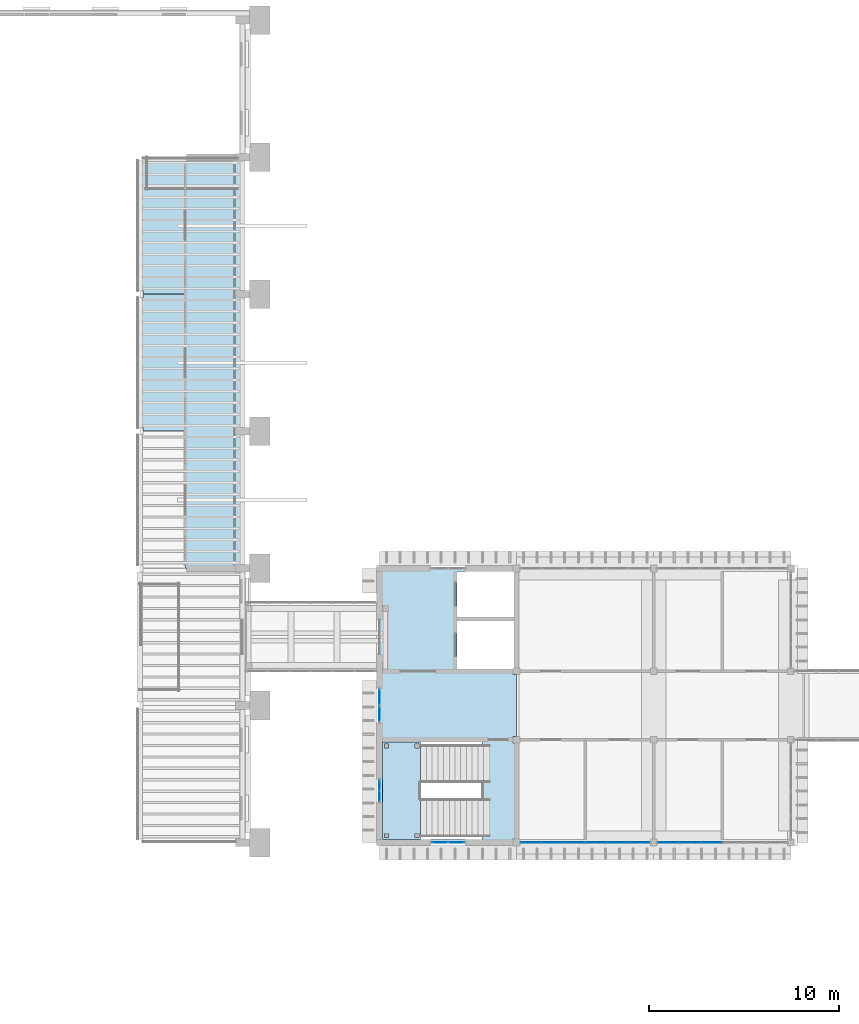
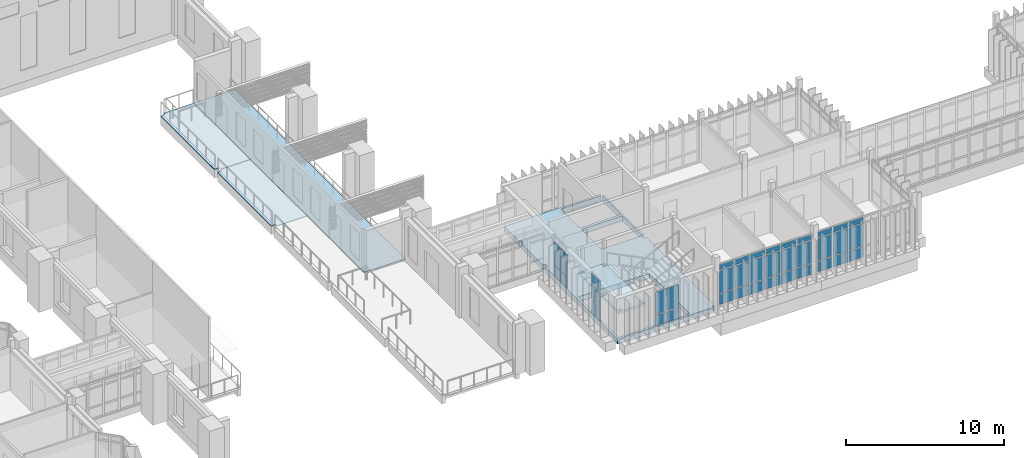
# One storey, part 30 of 69: 41 plates, 5 slabs, 6 elements without a shape of their own.
"""IFC4 building model written with IfcOpenShell, lengths in metres."""

from ifc_helpers import new_model, si_unit, direction, frame, origin, origin_2d, place, context, subcontext, project, spatial, polyline, rectangle, outline, extrude, material, layer, layer_set, type_object, element, aggregate, save


model = new_model("IFC4")

# Units and contexts
model_context = context("Model", 3, precision=1e-05, world=origin(), true_north=direction((0.0, 1.0)))
body_context = subcontext(model_context, "Body", "Model", "MODEL_VIEW")
ifc_project = project(units=[si_unit("LENGTHUNIT", "METRE"), si_unit("AREAUNIT", "SQUARE_METRE"), si_unit("VOLUMEUNIT", "CUBIC_METRE"), si_unit("PLANEANGLEUNIT", "RADIAN"), si_unit("MASSUNIT", "GRAM", prefix="KILO")], contexts=[model_context])

# Site, building, storey
site_placement = place(None, origin())
site = spatial("IfcSite", under=ifc_project, at=site_placement, CompositionType="ELEMENT")
building_placement = place(site_placement, origin())
building = spatial("IfcBuilding", under=site, at=building_placement, Name="Mazhai Court Health Centre", CompositionType="ELEMENT")
storey_placement = place(building_placement, frame((0.0, 0.0, 6.300048828125)))
storey = spatial("IfcBuildingStorey", under=building, at=storey_placement, Name="L01", CompositionType="ELEMENT", Elevation=6.300048828125)

# Curtain wall, plates
ifc_material_1 = material(Name="Teak timber frame, glazed", Category="wood")
ifc_layer_1 = layer(ifc_material_1, 0.10009765625)
ifc_layer_set_1 = layer_set([ifc_layer_1], Name="CURTAIN WALL TIMBER 900")
curtain_wall_type_1 = type_object("IfcCurtainWallType", Name="CURTAIN WALL TIMBER 900", PredefinedType="NOTDEFINED", material=ifc_layer_set_1)
curtain_wall_1_placement = place(storey_placement, origin())
curtain_wall_1 = element("IfcCurtainWall", 1, at=curtain_wall_1_placement, inside=storey, type_object=curtain_wall_type_1, Name="CW-V4-L01-A0", PredefinedType="NOTDEFINED")
ifc_material_2 = material(Name="Glass IGU 28 mm", Category="glass")
ifc_layer_2 = layer(ifc_material_2, 0.028076171875)
ifc_layer_set_2 = layer_set([ifc_layer_2], Name="CW PANEL IGU 28")
plate_type = type_object("IfcPlateType", Name="CW PANEL IGU 28", PredefinedType="CURTAIN_PANEL", material=ifc_layer_set_2)
plate_1_placement = place(storey_placement, frame((75.034912109375, 13.39990234375, 0.059814453125), z_axis=(0.0, 0.0, 1.0), x_axis=(-1.0, 0.0, 0.0)))
plate_1 = element("IfcPlate", 2, at=plate_1_placement, type_object=plate_type, Name="CW panel 1.1", PredefinedType="CURTAIN_PANEL", context=body_context, shape_type="SweptSolid", body=[
    extrude(rectangle(XDim=0.81005859375, YDim=0.028076171875, at=origin_2d()), origin(), (0.0, 0.0, 1.0), 0.81005859375),
])
plate_2_placement = place(storey_placement, frame((75.034912109375, 13.39990234375, 0.93017578125), z_axis=(0.0, 0.0, 1.0), x_axis=(-1.0, 0.0, 0.0)))
plate_2 = element("IfcPlate", 3, at=plate_2_placement, type_object=plate_type, Name="CW panel 1.2", PredefinedType="CURTAIN_PANEL", context=body_context, shape_type="SweptSolid", body=[
    extrude(rectangle(XDim=0.81005859375, YDim=0.028076171875, at=origin_2d()), origin(), (0.0, 0.0, 1.0), 1.739990234375),
])
plate_3_placement = place(storey_placement, frame((74.1650390625, 13.39990234375, 0.059814453125), z_axis=(0.0, 0.0, 1.0), x_axis=(-1.0, 0.0, 0.0)))
plate_3 = element("IfcPlate", 4, at=plate_3_placement, type_object=plate_type, Name="CW panel 2.1", PredefinedType="CURTAIN_PANEL", context=body_context, shape_type="SweptSolid", body=[
    extrude(rectangle(XDim=0.81005859375, YDim=0.028076171875, at=origin_2d()), origin(), (0.0, 0.0, 1.0), 0.81005859375),
])
plate_4_placement = place(storey_placement, frame((74.1650390625, 13.39990234375, 0.93017578125), z_axis=(0.0, 0.0, 1.0), x_axis=(-1.0, 0.0, 0.0)))
plate_4 = element("IfcPlate", 5, at=plate_4_placement, type_object=plate_type, Name="CW panel 2.2", PredefinedType="CURTAIN_PANEL", context=body_context, shape_type="SweptSolid", body=[
    extrude(rectangle(XDim=0.81005859375, YDim=0.028076171875, at=origin_2d()), origin(), (0.0, 0.0, 1.0), 1.739990234375),
])
aggregate(curtain_wall_1, [plate_1, plate_2, plate_3, plate_4])

ifc_material_3 = material(Name="Teak timber frame, glazed", Category="wood")
ifc_layer_3 = layer(ifc_material_3, 0.10009765625)
ifc_layer_set_3 = layer_set([ifc_layer_3], Name="CURTAIN WALL TIMBER 600")
curtain_wall_type_2 = type_object("IfcCurtainWallType", Name="CURTAIN WALL TIMBER 600", PredefinedType="NOTDEFINED", material=ifc_layer_set_3)
curtain_wall_2_placement = place(storey_placement, origin())
curtain_wall_2 = element("IfcCurtainWall", 6, at=curtain_wall_2_placement, inside=storey, type_object=curtain_wall_type_2, Name="CW-V4-L01-SSTAIR0", PredefinedType="NOTDEFINED")
plate_5_placement = place(storey_placement, frame((71.0, 15.8349609375, 0.06005859375), z_axis=(0.0, 0.0, 1.0), x_axis=(0.0, 1.0, 0.0)))
plate_5 = element("IfcPlate", 7, at=plate_5_placement, type_object=plate_type, Name="CW panel 1.1", PredefinedType="CURTAIN_PANEL", context=body_context, shape_type="SweptSolid", body=[
    extrude(rectangle(XDim=0.510009765625, YDim=0.028076171875, at=origin_2d()), origin(), (0.0, 0.0, 1.0), 1.010009765625),
])
plate_6_placement = place(storey_placement, frame((71.0, 15.8349609375, 1.1298828125), z_axis=(0.0, 0.0, 1.0), x_axis=(0.0, 1.0, 0.0)))
plate_6 = element("IfcPlate", 8, at=plate_6_placement, type_object=plate_type, Name="CW panel 1.2", PredefinedType="CURTAIN_PANEL", context=body_context, shape_type="SweptSolid", body=[
    extrude(rectangle(XDim=0.510009765625, YDim=0.028076171875, at=origin_2d()), origin(), (0.0, 0.0, 1.0), 1.0400390625),
])
plate_7_placement = place(storey_placement, frame((71.0, 15.8349609375, 2.22998046875), z_axis=(0.0, 0.0, 1.0), x_axis=(0.0, 1.0, 0.0)))
plate_7 = element("IfcPlate", 9, at=plate_7_placement, type_object=plate_type, Name="CW panel 1.3", PredefinedType="CURTAIN_PANEL", context=body_context, shape_type="SweptSolid", body=[
    extrude(rectangle(XDim=0.510009765625, YDim=0.028076171875, at=origin_2d()), origin(), (0.0, 0.0, 1.0), 0.909912109375),
])
plate_8_placement = place(storey_placement, frame((71.0, 16.405029296875, 0.06005859375), z_axis=(0.0, 0.0, 1.0), x_axis=(0.0, 1.0, 0.0)))
plate_8 = element("IfcPlate", 10, at=plate_8_placement, type_object=plate_type, Name="CW panel 2.1", PredefinedType="CURTAIN_PANEL", context=body_context, shape_type="SweptSolid", body=[
    extrude(rectangle(XDim=0.510009765625, YDim=0.028076171875, at=origin_2d()), origin(), (0.0, 0.0, 1.0), 1.010009765625),
])
plate_9_placement = place(storey_placement, frame((71.0, 16.405029296875, 1.1298828125), z_axis=(0.0, 0.0, 1.0), x_axis=(0.0, 1.0, 0.0)))
plate_9 = element("IfcPlate", 11, at=plate_9_placement, type_object=plate_type, Name="CW panel 2.2", PredefinedType="CURTAIN_PANEL", context=body_context, shape_type="SweptSolid", body=[
    extrude(rectangle(XDim=0.510009765625, YDim=0.028076171875, at=origin_2d()), origin(), (0.0, 0.0, 1.0), 1.0400390625),
])
plate_10_placement = place(storey_placement, frame((71.0, 16.405029296875, 2.22998046875), z_axis=(0.0, 0.0, 1.0), x_axis=(0.0, 1.0, 0.0)))
plate_10 = element("IfcPlate", 12, at=plate_10_placement, type_object=plate_type, Name="CW panel 2.3", PredefinedType="CURTAIN_PANEL", context=body_context, shape_type="SweptSolid", body=[
    extrude(rectangle(XDim=0.510009765625, YDim=0.028076171875, at=origin_2d()), origin(), (0.0, 0.0, 1.0), 0.909912109375),
])
aggregate(curtain_wall_2, [plate_5, plate_6, plate_7, plate_8, plate_9, plate_10])

curtain_wall_3_placement = place(storey_placement, origin())
curtain_wall_3 = element("IfcCurtainWall", 13, at=curtain_wall_3_placement, inside=storey, type_object=curtain_wall_type_1, Name="CW-V4-L01-SLIFT1", PredefinedType="NOTDEFINED")
plate_11_placement = place(storey_placement, frame((71.0, 20.1650390625, 0.059814453125), z_axis=(0.0, 0.0, 1.0), x_axis=(0.0, 1.0, 0.0)))
plate_11 = element("IfcPlate", 14, at=plate_11_placement, type_object=plate_type, Name="CW panel 1.1", PredefinedType="CURTAIN_PANEL", context=body_context, shape_type="SweptSolid", body=[
    extrude(rectangle(XDim=0.81005859375, YDim=0.028076171875, at=origin_2d()), origin(), (0.0, 0.0, 1.0), 0.81005859375),
])
plate_12_placement = place(storey_placement, frame((71.0, 20.1650390625, 0.93017578125), z_axis=(0.0, 0.0, 1.0), x_axis=(0.0, 1.0, 0.0)))
plate_12 = element("IfcPlate", 15, at=plate_12_placement, type_object=plate_type, Name="CW panel 1.2", PredefinedType="CURTAIN_PANEL", context=body_context, shape_type="SweptSolid", body=[
    extrude(rectangle(XDim=0.81005859375, YDim=0.028076171875, at=origin_2d()), origin(), (0.0, 0.0, 1.0), 1.739990234375),
])
plate_13_placement = place(storey_placement, frame((71.0, 21.034912109375, 0.059814453125), z_axis=(0.0, 0.0, 1.0), x_axis=(0.0, 1.0, 0.0)))
plate_13 = element("IfcPlate", 16, at=plate_13_placement, type_object=plate_type, Name="CW panel 2.1", PredefinedType="CURTAIN_PANEL", context=body_context, shape_type="SweptSolid", body=[
    extrude(rectangle(XDim=0.81005859375, YDim=0.028076171875, at=origin_2d()), origin(), (0.0, 0.0, 1.0), 0.81005859375),
])
plate_14_placement = place(storey_placement, frame((71.0, 21.034912109375, 0.93017578125), z_axis=(0.0, 0.0, 1.0), x_axis=(0.0, 1.0, 0.0)))
plate_14 = element("IfcPlate", 17, at=plate_14_placement, type_object=plate_type, Name="CW panel 2.2", PredefinedType="CURTAIN_PANEL", context=body_context, shape_type="SweptSolid", body=[
    extrude(rectangle(XDim=0.81005859375, YDim=0.028076171875, at=origin_2d()), origin(), (0.0, 0.0, 1.0), 1.739990234375),
])
aggregate(curtain_wall_3, [plate_11, plate_12, plate_13, plate_14])

ifc_material_4 = material(Name="Teak timber frame, glazed", Category="wood")
ifc_layer_4 = layer(ifc_material_4, 0.10009765625)
ifc_layer_set_4 = layer_set([ifc_layer_4], Name="CURTAIN WALL TIMBER 1200")
curtain_wall_type_3 = type_object("IfcCurtainWallType", Name="CURTAIN WALL TIMBER 1200", PredefinedType="NOTDEFINED", material=ifc_layer_set_4)
curtain_wall_4_placement = place(storey_placement, origin())
curtain_wall_4 = element("IfcCurtainWall", 18, at=curtain_wall_4_placement, inside=storey, type_object=curtain_wall_type_3, Name="CW-V4-L01-A1", PredefinedType="NOTDEFINED")
plate_15_placement = place(storey_placement, frame((84.635009765625, 13.39990234375, 0.059814453125), z_axis=(0.0, 0.0, 1.0), x_axis=(-1.0, 0.0, 0.0)))
plate_15 = element("IfcPlate", 19, at=plate_15_placement, type_object=plate_type, Name="CW panel 1.1", PredefinedType="CURTAIN_PANEL", context=body_context, shape_type="SweptSolid", body=[
    extrude(rectangle(XDim=1.050048828125, YDim=0.028076171875, at=origin_2d()), origin(), (0.0, 0.0, 1.0), 0.81005859375),
])
plate_16_placement = place(storey_placement, frame((84.635009765625, 13.39990234375, 0.93017578125), z_axis=(0.0, 0.0, 1.0), x_axis=(-1.0, 0.0, 0.0)))
plate_16 = element("IfcPlate", 20, at=plate_16_placement, type_object=plate_type, Name="CW panel 1.2", PredefinedType="CURTAIN_PANEL", context=body_context, shape_type="SweptSolid", body=[
    extrude(rectangle(XDim=1.050048828125, YDim=0.028076171875, at=origin_2d()), origin(), (0.0, 0.0, 1.0), 1.739990234375),
])
plate_17_placement = place(storey_placement, frame((84.635009765625, 13.39990234375, 2.72998046875), z_axis=(0.0, 0.0, 1.0), x_axis=(-1.0, 0.0, 0.0)))
plate_17 = element("IfcPlate", 21, at=plate_17_placement, type_object=plate_type, Name="CW panel 1.3", PredefinedType="CURTAIN_PANEL", context=body_context, shape_type="SweptSolid", body=[
    extrude(rectangle(XDim=1.050048828125, YDim=0.028076171875, at=origin_2d()), origin(), (0.0, 0.0, 1.0), 0.429931640625),
])
plate_18_placement = place(storey_placement, frame((83.510009765625, 13.39990234375, 0.059814453125), z_axis=(0.0, 0.0, 1.0), x_axis=(-1.0, 0.0, 0.0)))
plate_18 = element("IfcPlate", 22, at=plate_18_placement, type_object=plate_type, Name="CW panel 2.1", PredefinedType="CURTAIN_PANEL", context=body_context, shape_type="SweptSolid", body=[
    extrude(rectangle(XDim=1.080078125, YDim=0.028076171875, at=origin_2d()), origin(), (0.0, 0.0, 1.0), 0.81005859375),
])
plate_19_placement = place(storey_placement, frame((83.510009765625, 13.39990234375, 0.93017578125), z_axis=(0.0, 0.0, 1.0), x_axis=(-1.0, 0.0, 0.0)))
plate_19 = element("IfcPlate", 23, at=plate_19_placement, type_object=plate_type, Name="CW panel 2.2", PredefinedType="CURTAIN_PANEL", context=body_context, shape_type="SweptSolid", body=[
    extrude(rectangle(XDim=1.080078125, YDim=0.028076171875, at=origin_2d()), origin(), (0.0, 0.0, 1.0), 1.739990234375),
])
plate_20_placement = place(storey_placement, frame((83.510009765625, 13.39990234375, 2.72998046875), z_axis=(0.0, 0.0, 1.0), x_axis=(-1.0, 0.0, 0.0)))
plate_20 = element("IfcPlate", 24, at=plate_20_placement, type_object=plate_type, Name="CW panel 2.3", PredefinedType="CURTAIN_PANEL", context=body_context, shape_type="SweptSolid", body=[
    extrude(rectangle(XDim=1.080078125, YDim=0.028076171875, at=origin_2d()), origin(), (0.0, 0.0, 1.0), 0.429931640625),
])
plate_21_placement = place(storey_placement, frame((82.3701171875, 13.39990234375, 0.059814453125), z_axis=(0.0, 0.0, 1.0), x_axis=(-1.0, 0.0, 0.0)))
plate_21 = element("IfcPlate", 25, at=plate_21_placement, type_object=plate_type, Name="CW panel 3.1", PredefinedType="CURTAIN_PANEL", context=body_context, shape_type="SweptSolid", body=[
    extrude(rectangle(XDim=1.080078125, YDim=0.028076171875, at=origin_2d()), origin(), (0.0, 0.0, 1.0), 0.81005859375),
])
plate_22_placement = place(storey_placement, frame((82.3701171875, 13.39990234375, 0.93017578125), z_axis=(0.0, 0.0, 1.0), x_axis=(-1.0, 0.0, 0.0)))
plate_22 = element("IfcPlate", 26, at=plate_22_placement, type_object=plate_type, Name="CW panel 3.2", PredefinedType="CURTAIN_PANEL", context=body_context, shape_type="SweptSolid", body=[
    extrude(rectangle(XDim=1.080078125, YDim=0.028076171875, at=origin_2d()), origin(), (0.0, 0.0, 1.0), 1.739990234375),
])
plate_23_placement = place(storey_placement, frame((82.3701171875, 13.39990234375, 2.72998046875), z_axis=(0.0, 0.0, 1.0), x_axis=(-1.0, 0.0, 0.0)))
plate_23 = element("IfcPlate", 27, at=plate_23_placement, type_object=plate_type, Name="CW panel 3.3", PredefinedType="CURTAIN_PANEL", context=body_context, shape_type="SweptSolid", body=[
    extrude(rectangle(XDim=1.080078125, YDim=0.028076171875, at=origin_2d()), origin(), (0.0, 0.0, 1.0), 0.429931640625),
])
plate_24_placement = place(storey_placement, frame((81.22998046875, 13.39990234375, 0.059814453125), z_axis=(0.0, 0.0, 1.0), x_axis=(-1.0, 0.0, 0.0)))
plate_24 = element("IfcPlate", 28, at=plate_24_placement, type_object=plate_type, Name="CW panel 4.1", PredefinedType="CURTAIN_PANEL", context=body_context, shape_type="SweptSolid", body=[
    extrude(rectangle(XDim=1.080078125, YDim=0.028076171875, at=origin_2d()), origin(), (0.0, 0.0, 1.0), 0.81005859375),
])
plate_25_placement = place(storey_placement, frame((81.22998046875, 13.39990234375, 0.93017578125), z_axis=(0.0, 0.0, 1.0), x_axis=(-1.0, 0.0, 0.0)))
plate_25 = element("IfcPlate", 29, at=plate_25_placement, type_object=plate_type, Name="CW panel 4.2", PredefinedType="CURTAIN_PANEL", context=body_context, shape_type="SweptSolid", body=[
    extrude(rectangle(XDim=1.080078125, YDim=0.028076171875, at=origin_2d()), origin(), (0.0, 0.0, 1.0), 1.739990234375),
])
plate_26_placement = place(storey_placement, frame((81.22998046875, 13.39990234375, 2.72998046875), z_axis=(0.0, 0.0, 1.0), x_axis=(-1.0, 0.0, 0.0)))
plate_26 = element("IfcPlate", 30, at=plate_26_placement, type_object=plate_type, Name="CW panel 4.3", PredefinedType="CURTAIN_PANEL", context=body_context, shape_type="SweptSolid", body=[
    extrude(rectangle(XDim=1.080078125, YDim=0.028076171875, at=origin_2d()), origin(), (0.0, 0.0, 1.0), 0.429931640625),
])
plate_27_placement = place(storey_placement, frame((80.090087890625, 13.39990234375, 0.059814453125), z_axis=(0.0, 0.0, 1.0), x_axis=(-1.0, 0.0, 0.0)))
plate_27 = element("IfcPlate", 31, at=plate_27_placement, type_object=plate_type, Name="CW panel 5.1", PredefinedType="CURTAIN_PANEL", context=body_context, shape_type="SweptSolid", body=[
    extrude(rectangle(XDim=1.080078125, YDim=0.028076171875, at=origin_2d()), origin(), (0.0, 0.0, 1.0), 0.81005859375),
])
plate_28_placement = place(storey_placement, frame((80.090087890625, 13.39990234375, 0.93017578125), z_axis=(0.0, 0.0, 1.0), x_axis=(-1.0, 0.0, 0.0)))
plate_28 = element("IfcPlate", 32, at=plate_28_placement, type_object=plate_type, Name="CW panel 5.2", PredefinedType="CURTAIN_PANEL", context=body_context, shape_type="SweptSolid", body=[
    extrude(rectangle(XDim=1.080078125, YDim=0.028076171875, at=origin_2d()), origin(), (0.0, 0.0, 1.0), 1.739990234375),
])
plate_29_placement = place(storey_placement, frame((80.090087890625, 13.39990234375, 2.72998046875), z_axis=(0.0, 0.0, 1.0), x_axis=(-1.0, 0.0, 0.0)))
plate_29 = element("IfcPlate", 33, at=plate_29_placement, type_object=plate_type, Name="CW panel 5.3", PredefinedType="CURTAIN_PANEL", context=body_context, shape_type="SweptSolid", body=[
    extrude(rectangle(XDim=1.080078125, YDim=0.028076171875, at=origin_2d()), origin(), (0.0, 0.0, 1.0), 0.429931640625),
])
plate_30_placement = place(storey_placement, frame((78.965087890625, 13.39990234375, 0.059814453125), z_axis=(0.0, 0.0, 1.0), x_axis=(-1.0, 0.0, 0.0)))
plate_30 = element("IfcPlate", 34, at=plate_30_placement, type_object=plate_type, Name="CW panel 6.1", PredefinedType="CURTAIN_PANEL", context=body_context, shape_type="SweptSolid", body=[
    extrude(rectangle(XDim=1.050048828125, YDim=0.028076171875, at=origin_2d()), origin(), (0.0, 0.0, 1.0), 0.81005859375),
])
plate_31_placement = place(storey_placement, frame((78.965087890625, 13.39990234375, 0.93017578125), z_axis=(0.0, 0.0, 1.0), x_axis=(-1.0, 0.0, 0.0)))
plate_31 = element("IfcPlate", 35, at=plate_31_placement, type_object=plate_type, Name="CW panel 6.2", PredefinedType="CURTAIN_PANEL", context=body_context, shape_type="SweptSolid", body=[
    extrude(rectangle(XDim=1.050048828125, YDim=0.028076171875, at=origin_2d()), origin(), (0.0, 0.0, 1.0), 1.739990234375),
])
plate_32_placement = place(storey_placement, frame((78.965087890625, 13.39990234375, 2.72998046875), z_axis=(0.0, 0.0, 1.0), x_axis=(-1.0, 0.0, 0.0)))
plate_32 = element("IfcPlate", 36, at=plate_32_placement, type_object=plate_type, Name="CW panel 6.3", PredefinedType="CURTAIN_PANEL", context=body_context, shape_type="SweptSolid", body=[
    extrude(rectangle(XDim=1.050048828125, YDim=0.028076171875, at=origin_2d()), origin(), (0.0, 0.0, 1.0), 0.429931640625),
])
aggregate(curtain_wall_4, [plate_15, plate_16, plate_17, plate_18, plate_19, plate_20, plate_21, plate_22, plate_23, plate_24, plate_25, plate_26, plate_27, plate_28, plate_29, plate_30, plate_31, plate_32])

curtain_wall_5_placement = place(storey_placement, origin())
curtain_wall_5 = element("IfcCurtainWall", 37, at=curtain_wall_5_placement, inside=storey, type_object=curtain_wall_type_3, Name="CW-V4-L01-A2", PredefinedType="NOTDEFINED")
plate_33_placement = place(storey_placement, frame((88.429931640625, 13.39990234375, 0.059814453125), z_axis=(0.0, 0.0, 1.0), x_axis=(-1.0, 0.0, 0.0)))
plate_33 = element("IfcPlate", 38, at=plate_33_placement, type_object=plate_type, Name="CW panel 4.1", PredefinedType="CURTAIN_PANEL", context=body_context, shape_type="SweptSolid", body=[
    extrude(rectangle(XDim=1.080078125, YDim=0.028076171875, at=origin_2d()), origin(), (0.0, 0.0, 1.0), 0.81005859375),
])
plate_34_placement = place(storey_placement, frame((88.429931640625, 13.39990234375, 0.93017578125), z_axis=(0.0, 0.0, 1.0), x_axis=(-1.0, 0.0, 0.0)))
plate_34 = element("IfcPlate", 39, at=plate_34_placement, type_object=plate_type, Name="CW panel 4.2", PredefinedType="CURTAIN_PANEL", context=body_context, shape_type="SweptSolid", body=[
    extrude(rectangle(XDim=1.080078125, YDim=0.028076171875, at=origin_2d()), origin(), (0.0, 0.0, 1.0), 1.739990234375),
])
plate_35_placement = place(storey_placement, frame((88.429931640625, 13.39990234375, 2.72998046875), z_axis=(0.0, 0.0, 1.0), x_axis=(-1.0, 0.0, 0.0)))
plate_35 = element("IfcPlate", 40, at=plate_35_placement, type_object=plate_type, Name="CW panel 4.3", PredefinedType="CURTAIN_PANEL", context=body_context, shape_type="SweptSolid", body=[
    extrude(rectangle(XDim=1.080078125, YDim=0.028076171875, at=origin_2d()), origin(), (0.0, 0.0, 1.0), 0.429931640625),
])
plate_36_placement = place(storey_placement, frame((87.2900390625, 13.39990234375, 0.059814453125), z_axis=(0.0, 0.0, 1.0), x_axis=(-1.0, 0.0, 0.0)))
plate_36 = element("IfcPlate", 41, at=plate_36_placement, type_object=plate_type, Name="CW panel 5.1", PredefinedType="CURTAIN_PANEL", context=body_context, shape_type="SweptSolid", body=[
    extrude(rectangle(XDim=1.080078125, YDim=0.028076171875, at=origin_2d()), origin(), (0.0, 0.0, 1.0), 0.81005859375),
])
plate_37_placement = place(storey_placement, frame((87.2900390625, 13.39990234375, 0.93017578125), z_axis=(0.0, 0.0, 1.0), x_axis=(-1.0, 0.0, 0.0)))
plate_37 = element("IfcPlate", 42, at=plate_37_placement, type_object=plate_type, Name="CW panel 5.2", PredefinedType="CURTAIN_PANEL", context=body_context, shape_type="SweptSolid", body=[
    extrude(rectangle(XDim=1.080078125, YDim=0.028076171875, at=origin_2d()), origin(), (0.0, 0.0, 1.0), 1.739990234375),
])
plate_38_placement = place(storey_placement, frame((87.2900390625, 13.39990234375, 2.72998046875), z_axis=(0.0, 0.0, 1.0), x_axis=(-1.0, 0.0, 0.0)))
plate_38 = element("IfcPlate", 43, at=plate_38_placement, type_object=plate_type, Name="CW panel 5.3", PredefinedType="CURTAIN_PANEL", context=body_context, shape_type="SweptSolid", body=[
    extrude(rectangle(XDim=1.080078125, YDim=0.028076171875, at=origin_2d()), origin(), (0.0, 0.0, 1.0), 0.429931640625),
])
plate_39_placement = place(storey_placement, frame((86.1650390625, 13.39990234375, 0.059814453125), z_axis=(0.0, 0.0, 1.0), x_axis=(-1.0, 0.0, 0.0)))
plate_39 = element("IfcPlate", 44, at=plate_39_placement, type_object=plate_type, Name="CW panel 6.1", PredefinedType="CURTAIN_PANEL", context=body_context, shape_type="SweptSolid", body=[
    extrude(rectangle(XDim=1.050048828125, YDim=0.028076171875, at=origin_2d()), origin(), (0.0, 0.0, 1.0), 0.81005859375),
])
plate_40_placement = place(storey_placement, frame((86.1650390625, 13.39990234375, 0.93017578125), z_axis=(0.0, 0.0, 1.0), x_axis=(-1.0, 0.0, 0.0)))
plate_40 = element("IfcPlate", 45, at=plate_40_placement, type_object=plate_type, Name="CW panel 6.2", PredefinedType="CURTAIN_PANEL", context=body_context, shape_type="SweptSolid", body=[
    extrude(rectangle(XDim=1.050048828125, YDim=0.028076171875, at=origin_2d()), origin(), (0.0, 0.0, 1.0), 1.739990234375),
])
plate_41_placement = place(storey_placement, frame((86.1650390625, 13.39990234375, 2.72998046875), z_axis=(0.0, 0.0, 1.0), x_axis=(-1.0, 0.0, 0.0)))
plate_41 = element("IfcPlate", 46, at=plate_41_placement, type_object=plate_type, Name="CW panel 6.3", PredefinedType="CURTAIN_PANEL", context=body_context, shape_type="SweptSolid", body=[
    extrude(rectangle(XDim=1.050048828125, YDim=0.028076171875, at=origin_2d()), origin(), (0.0, 0.0, 1.0), 0.429931640625),
])
aggregate(curtain_wall_5, [plate_33, plate_34, plate_35, plate_36, plate_37, plate_38, plate_39, plate_40, plate_41])

# Slabs
ifc_material_5 = material(Name="Teak timber decking", Category="wood")
ifc_layer_5 = layer(ifc_material_5, 0.0400390625)
ifc_layer_set_5 = layer_set([ifc_layer_5], Name="DECK TEAK 40")
slab_type_1 = type_object("IfcSlabType", Name="DECK TEAK 40", PredefinedType="FLOOR", material=ifc_layer_set_5)
slab_1_placement = place(storey_placement, frame((0.0, 0.0, -0.0400390625)))
element("IfcSlab", 47, at=slab_1_placement, inside=storey, type_object=slab_type_1, Name="DK-V1-LG", PredefinedType="FLOOR", context=body_context, shape_type="SweptSolid", body=[
    extrude(outline(polyline([(60.800048828125, 27.800048828125), (63.800048828125, 27.800048828125), (63.800048828125, 49.39990234375), (60.800048828125, 49.39990234375), (60.800048828125, 27.800048828125)])), origin(), (0.0, 0.0, 1.0), 0.0400390625),
])
ifc_material_6 = material(Name="Plywood EN 636-3", Category="wood")
ifc_layer_6 = layer(ifc_material_6, 0.0400390625)
ifc_layer_set_6 = layer_set([ifc_layer_6], Name="Plywood EN 636-3 40 gallery deck")
slab_type_2 = type_object("IfcSlabType", Name="Plywood EN 636-3 40 gallery deck", PredefinedType="FLOOR", material=ifc_layer_set_6)
slab_2_placement = place(storey_placement, frame((0.0, 0.0, -0.0400390625)))
element("IfcSlab", 48, at=slab_2_placement, inside=storey, type_object=slab_type_2, Name="slab-V1-L01-E3", PredefinedType="FLOOR", context=body_context, shape_type="SweptSolid", body=[
    extrude(outline(polyline([(58.590087890625, 35.010009765625), (60.800048828125, 35.010009765625), (60.800048828125, 42.18994140625), (58.590087890625, 42.18994140625), (58.590087890625, 42.010009765625), (58.260009765625, 42.010009765625), (58.260009765625, 35.18994140625), (58.590087890625, 35.18994140625), (58.590087890625, 35.010009765625)])), origin(), (0.0, 0.0, 1.0), 0.0400390625),
])
slab_3_placement = place(storey_placement, frame((0.0, 0.0, -0.0400390625)))
element("IfcSlab", 49, at=slab_3_placement, inside=storey, type_object=slab_type_2, Name="slab-V1-L01-E4", PredefinedType="FLOOR", context=body_context, shape_type="SweptSolid", body=[
    extrude(outline(polyline([(58.590087890625, 42.2099609375), (60.800048828125, 42.2099609375), (60.800048828125, 49.389892578125), (58.590087890625, 49.389892578125), (58.590087890625, 49.2099609375), (58.260009765625, 49.2099609375), (58.260009765625, 42.389892578125), (58.590087890625, 42.389892578125), (58.590087890625, 42.2099609375)])), origin(), (0.0, 0.0, 1.0), 0.0400390625),
])
ifc_material_7 = material(Name="Concrete M40", Category="concrete")
ifc_layer_7 = layer(ifc_material_7, 0.25)
ifc_layer_set_7 = layer_set([ifc_layer_7], Name="RC CORE FLOOR 250 M40")
slab_type_3 = type_object("IfcSlabType", Name="RC CORE FLOOR 250 M40", PredefinedType="FLOOR", material=ifc_layer_set_7)
slab_4_placement = place(storey_placement, frame((0.0, 0.0, -0.400146484375)))
element("IfcSlab", 50, at=slab_4_placement, inside=storey, type_object=slab_type_3, Name="core-C6-floor-L01", PredefinedType="FLOOR", context=body_context, shape_type="SweptSolid", body=[
    extrude(outline(polyline([(78.199951171875, 18.97998046875), (78.02001953125, 18.97998046875), (78.02001953125, 18.6201171875), (78.199951171875, 18.6201171875), (78.199951171875, 13.580078125), (78.02001953125, 13.580078125), (78.02001953125, 13.39990234375), (71.0, 13.39990234375), (71.0, 22.5400390625), (71.169921875, 22.5400390625), (71.169921875, 22.860107421875), (71.0, 22.860107421875), (71.0, 25.5400390625), (71.169921875, 25.5400390625), (71.169921875, 25.860107421875), (71.0, 25.860107421875), (71.0, 27.800048828125), (78.02001953125, 27.800048828125), (78.02001953125, 27.635009765625), (75.074951171875, 27.635009765625), (75.074951171875, 25.235107421875), (78.074951171875, 25.235107421875), (78.074951171875, 27.6201171875), (78.199951171875, 27.6201171875), (78.199951171875, 22.580078125), (78.074951171875, 22.580078125), (78.074951171875, 25.034912109375), (75.074951171875, 25.034912109375), (75.074951171875, 22.52490234375), (78.02001953125, 22.52490234375), (78.02001953125, 22.219970703125), (78.199951171875, 22.219970703125), (78.199951171875, 18.97998046875)]), holes=[polyline([(71.1650390625, 18.675048828125), (71.1650390625, 13.56494140625), (76.37353515625, 13.56494140625), (76.37353515625, 18.675048828125), (71.1650390625, 18.675048828125)])]), origin(), (0.0, 0.0, 1.0), 0.400146484375),
])

# Stair, slab
ifc_material_8 = material(Name="Concrete M40", Category="concrete")
stair_type = type_object("IfcStairType", Name="RC STAIR 2000 26R", PredefinedType="DOUBLE_RETURN_STAIR", material=ifc_material_8)
stair_placement = place(storey_placement, origin())
stair = element("IfcStair", 51, at=stair_placement, inside=storey, type_object=stair_type, Name="L01 Stair 6", PredefinedType="HALF_TURN_STAIR")
ifc_material_9 = material(Name="Concrete M40", Category="concrete")
ifc_layer_8 = layer(ifc_material_9, 0.199951171875)
ifc_layer_set_8 = layer_set([ifc_layer_8], Name="RC STAIR LANDING 200 M40")
slab_type_4 = type_object("IfcSlabType", Name="RC STAIR LANDING 200 M40", PredefinedType="LANDING", material=ifc_layer_set_8)
slab_5_placement = place(storey_placement, frame((0.0, 0.0, 1.75)))
slab_5 = element("IfcSlab", 52, at=slab_5_placement, type_object=slab_type_4, Name="ST6 landing 1", PredefinedType="LANDING", context=body_context, shape_type="SweptSolid", body=[
    extrude(outline(polyline([(73.1650390625, 18.675048828125), (71.1650390625, 18.675048828125), (71.1650390625, 13.56494140625), (73.1650390625, 13.56494140625), (73.1650390625, 18.675048828125)]), holes=[polyline([(71.264892578125, 13.655029296875), (71.47509765625, 13.655029296875), (71.47509765625, 13.864990234375), (71.264892578125, 13.864990234375), (71.264892578125, 13.655029296875)]), polyline([(71.264892578125, 18.375), (71.47509765625, 18.375), (71.47509765625, 18.5849609375), (71.264892578125, 18.5849609375), (71.264892578125, 18.375)]), polyline([(72.864990234375, 13.655029296875), (73.074951171875, 13.655029296875), (73.074951171875, 13.864990234375), (72.864990234375, 13.864990234375), (72.864990234375, 13.655029296875)]), polyline([(72.864990234375, 18.375), (73.074951171875, 18.375), (73.074951171875, 18.5849609375), (72.864990234375, 18.5849609375), (72.864990234375, 18.375)])]), origin(), (0.0, 0.0, 1.0), 0.199951171875),
])
aggregate(stair, [slab_5])

save(model, "model.ifc")
